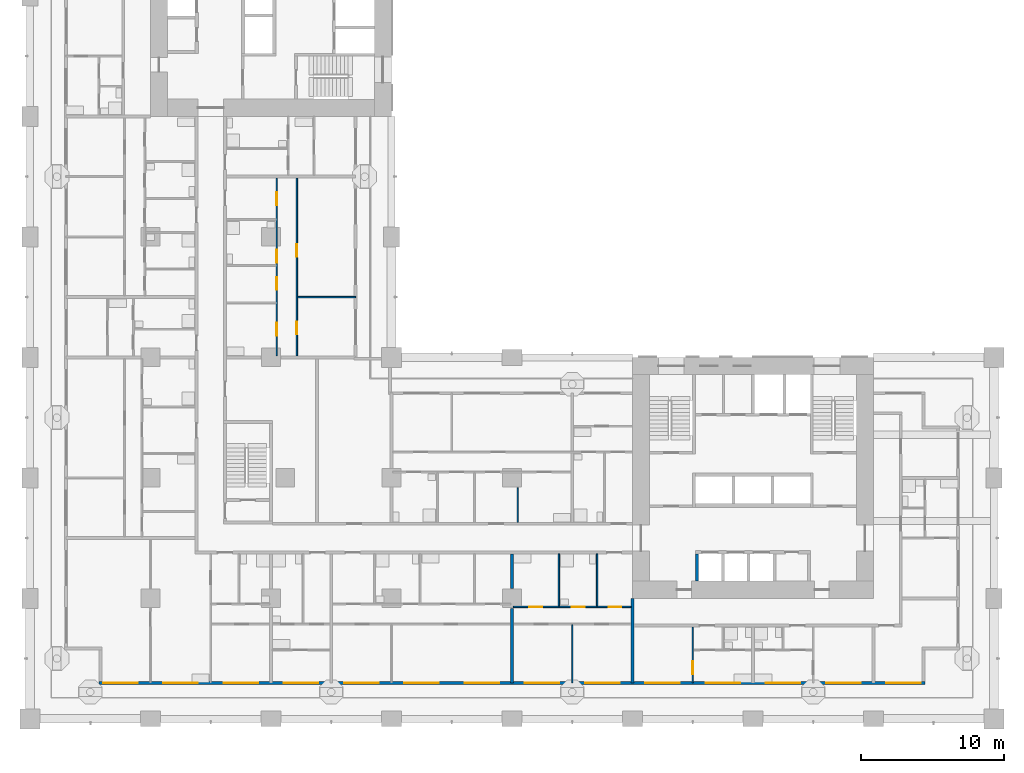
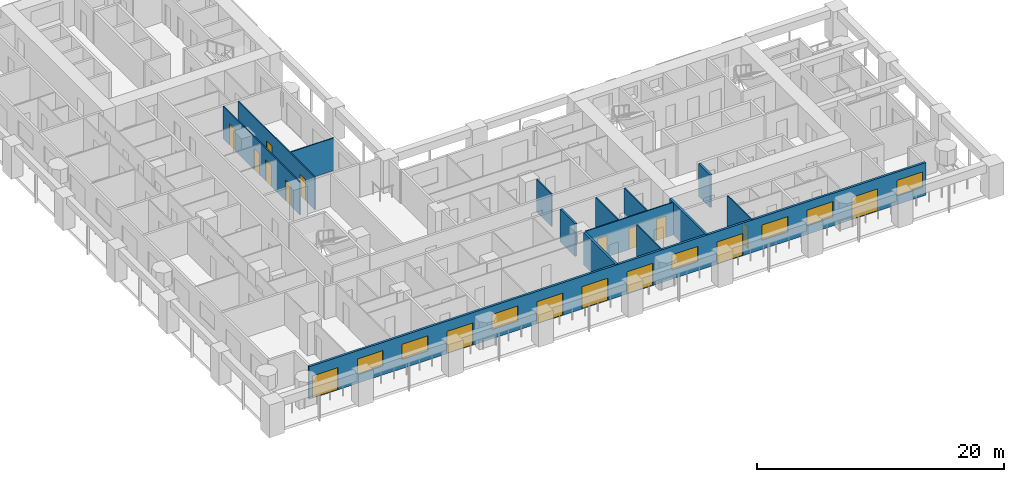
# One storey, part 5 of 21: 17 doors, 14 walls, 7 windows, 24 openings.
"""IFC4 building model written with IfcOpenShell, lengths in metres."""

from ifc_helpers import new_model, si_unit, direction, frame, frame_2d, origin, place, context, subcontext, project, spatial, rectangle, extrude, material, layer, layer_set, type_object, element, fill, save


model = new_model("IFC4")

# Units and contexts
model_context = context("Model", 3, precision=1e-05, world=origin(), true_north=direction((0.0, 1.0)))
body_context = subcontext(model_context, "Body", "Model", "MODEL_VIEW")
ifc_project = project(units=[si_unit("LENGTHUNIT", "METRE"), si_unit("AREAUNIT", "SQUARE_METRE"), si_unit("VOLUMEUNIT", "CUBIC_METRE"), si_unit("PLANEANGLEUNIT", "RADIAN"), si_unit("MASSUNIT", "GRAM", prefix="KILO")], contexts=[model_context])

# Site, building, storey
site_placement = place(None, origin())
site = spatial("IfcSite", under=ifc_project, at=site_placement, CompositionType="ELEMENT")
building_placement = place(site_placement, origin())
building = spatial("IfcBuilding", under=site, at=building_placement, Name="Vermilion Gate Residences", CompositionType="ELEMENT")
storey_placement = place(building_placement, frame((0.0, 0.0, 67.199951171875)))
storey = spatial("IfcBuildingStorey", under=building, at=storey_placement, Name="L16", CompositionType="ELEMENT", Elevation=67.199951171875)

# Wall, openings, doors, windows
ifc_material_1 = material(Name="Insulated steel stud wall with terracotta rainscreen", Category="masonry")
ifc_layer_1 = layer(ifc_material_1, 0.199951171875)
ifc_layer_set_1 = layer_set([ifc_layer_1], Name="EXTERNAL WALL 200 TERRACOTTA RAINSCREEN")
wall_type_1 = type_object("IfcWallType", Name="EXTERNAL WALL 200 TERRACOTTA RAINSCREEN", PredefinedType="SOLIDWALL", material=ifc_layer_set_1)
wall_1_placement = place(storey_placement, frame((4.800048828125, 2.5, 0.0), z_axis=(0.0, 0.0, 1.0), x_axis=(1.0, 0.0, 0.0)))
wall_1 = element("IfcWall", 1, at=wall_1_placement, inside=storey, type_object=wall_type_1, Name="External wall", PredefinedType="SOLIDWALL", context=body_context, shape_type="SweptSolid", body=[
    extrude(rectangle(XDim=57.599853515625, YDim=0.199951171875, at=frame_2d((28.7998046875, 0.0))), origin(), (0.0, 0.0, 1.0), 3.219970703125),
])
opening_1_placement = place(wall_1_placement, frame((0.300048828125, 0.0, 0.0)))
opening_1 = element("IfcOpeningElement", 2, at=opening_1_placement, cuts=wall_1, Name="Opening DE16014", PredefinedType="OPENING", context=body_context, shape_type="SweptSolid", body=[
    extrude(rectangle(XDim=2.39990234375, YDim=2.199951171875, at=frame_2d((1.199951171875, 1.10009765625))), frame((0.0, 0.10986328125, 0.0), z_axis=(0.0, -1.0, 0.0), x_axis=(1.0, 0.0, 0.0)), (0.0, 0.0, 1.0), 0.219970703125),
])
opening_2_placement = place(wall_1_placement, frame((4.5, 0.0, 0.89990234375)))
opening_2 = element("IfcOpeningElement", 3, at=opening_2_placement, cuts=wall_1, Name="Opening WE16015", PredefinedType="OPENING", context=body_context, shape_type="SweptSolid", body=[
    extrude(rectangle(XDim=2.39990234375, YDim=1.5, at=frame_2d((1.199951171875, 0.75))), frame((0.0, 0.10986328125, 0.0), z_axis=(0.0, -1.0, 0.0), x_axis=(1.0, 0.0, 0.0)), (0.0, 0.0, 1.0), 0.219970703125),
])
opening_3_placement = place(wall_1_placement, frame((8.699951171875, 0.0, 0.89990234375)))
opening_3 = element("IfcOpeningElement", 4, at=opening_3_placement, cuts=wall_1, Name="Opening WE16016", PredefinedType="OPENING", context=body_context, shape_type="SweptSolid", body=[
    extrude(rectangle(XDim=2.39990234375, YDim=1.5, at=frame_2d((1.199951171875, 0.75))), frame((0.0, 0.10986328125, 0.0), z_axis=(0.0, -1.0, 0.0), x_axis=(1.0, 0.0, 0.0)), (0.0, 0.0, 1.0), 0.219970703125),
])
opening_4_placement = place(wall_1_placement, frame((12.89990234375, 0.0, 0.0)))
opening_4 = element("IfcOpeningElement", 5, at=opening_4_placement, cuts=wall_1, Name="Opening DE16017", PredefinedType="OPENING", context=body_context, shape_type="SweptSolid", body=[
    extrude(rectangle(XDim=2.39990234375, YDim=2.199951171875, at=frame_2d((1.199951171875, 1.10009765625))), frame((0.0, 0.10986328125, 0.0), z_axis=(0.0, -1.0, 0.0), x_axis=(1.0, 0.0, 0.0)), (0.0, 0.0, 1.0), 0.219970703125),
])
opening_5_placement = place(wall_1_placement, frame((17.10009765625, 0.0, 0.89990234375)))
opening_5 = element("IfcOpeningElement", 6, at=opening_5_placement, cuts=wall_1, Name="Opening WE16018", PredefinedType="OPENING", context=body_context, shape_type="SweptSolid", body=[
    extrude(rectangle(XDim=2.39990234375, YDim=1.5, at=frame_2d((1.199951171875, 0.75))), frame((0.0, 0.10986328125, 0.0), z_axis=(0.0, -1.0, 0.0), x_axis=(1.0, 0.0, 0.0)), (0.0, 0.0, 1.0), 0.219970703125),
])
opening_6_placement = place(wall_1_placement, frame((21.300048828125, 0.0, 0.0)))
opening_6 = element("IfcOpeningElement", 7, at=opening_6_placement, cuts=wall_1, Name="Opening DE16019", PredefinedType="OPENING", context=body_context, shape_type="SweptSolid", body=[
    extrude(rectangle(XDim=2.39990234375, YDim=2.199951171875, at=frame_2d((1.199951171875, 1.10009765625))), frame((0.0, 0.10986328125, 0.0), z_axis=(0.0, -1.0, 0.0), x_axis=(1.0, 0.0, 0.0)), (0.0, 0.0, 1.0), 0.219970703125),
])
opening_7_placement = place(wall_1_placement, frame((25.5, 0.0, 0.0)))
opening_7 = element("IfcOpeningElement", 8, at=opening_7_placement, cuts=wall_1, Name="Opening DE16020", PredefinedType="OPENING", context=body_context, shape_type="SweptSolid", body=[
    extrude(rectangle(XDim=2.39990234375, YDim=2.199951171875, at=frame_2d((1.199951171875, 1.10009765625))), frame((0.0, 0.10986328125, 0.0), z_axis=(0.0, -1.0, 0.0), x_axis=(1.0, 0.0, 0.0)), (0.0, 0.0, 1.0), 0.219970703125),
])
opening_8_placement = place(wall_1_placement, frame((29.699951171875, 0.0, 0.0)))
opening_8 = element("IfcOpeningElement", 9, at=opening_8_placement, cuts=wall_1, Name="Opening DE16021", PredefinedType="OPENING", context=body_context, shape_type="SweptSolid", body=[
    extrude(rectangle(XDim=2.39990234375, YDim=2.199951171875, at=frame_2d((1.199951171875, 1.10009765625))), frame((0.0, 0.10986328125, 0.0), z_axis=(0.0, -1.0, 0.0), x_axis=(1.0, 0.0, 0.0)), (0.0, 0.0, 1.0), 0.219970703125),
])
opening_9_placement = place(wall_1_placement, frame((33.89990234375, 0.0, 0.89990234375)))
opening_9 = element("IfcOpeningElement", 10, at=opening_9_placement, cuts=wall_1, Name="Opening WE16022", PredefinedType="OPENING", context=body_context, shape_type="SweptSolid", body=[
    extrude(rectangle(XDim=2.39990234375, YDim=1.5, at=frame_2d((1.199951171875, 0.75))), frame((0.0, 0.10986328125, 0.0), z_axis=(0.0, -1.0, 0.0), x_axis=(1.0, 0.0, 0.0)), (0.0, 0.0, 1.0), 0.219970703125),
])
opening_10_placement = place(wall_1_placement, frame((38.10009765625, 0.0, 0.0)))
opening_10 = element("IfcOpeningElement", 11, at=opening_10_placement, cuts=wall_1, Name="Opening DE16023", PredefinedType="OPENING", context=body_context, shape_type="SweptSolid", body=[
    extrude(rectangle(XDim=2.39990234375, YDim=2.199951171875, at=frame_2d((1.199951171875, 1.10009765625))), frame((0.0, 0.10986328125, 0.0), z_axis=(0.0, -1.0, 0.0), x_axis=(1.0, 0.0, 0.0)), (0.0, 0.0, 1.0), 0.219970703125),
])
opening_11_placement = place(wall_1_placement, frame((42.300048828125, 0.0, 0.89990234375)))
opening_11 = element("IfcOpeningElement", 12, at=opening_11_placement, cuts=wall_1, Name="Opening WE16024", PredefinedType="OPENING", context=body_context, shape_type="SweptSolid", body=[
    extrude(rectangle(XDim=2.39990234375, YDim=1.5, at=frame_2d((1.199951171875, 0.75))), frame((0.0, 0.10986328125, 0.0), z_axis=(0.0, -1.0, 0.0), x_axis=(1.0, 0.0, 0.0)), (0.0, 0.0, 1.0), 0.219970703125),
])
opening_12_placement = place(wall_1_placement, frame((46.5, 0.0, 0.89990234375)))
opening_12 = element("IfcOpeningElement", 13, at=opening_12_placement, cuts=wall_1, Name="Opening WE16025", PredefinedType="OPENING", context=body_context, shape_type="SweptSolid", body=[
    extrude(rectangle(XDim=2.39990234375, YDim=1.5, at=frame_2d((1.199951171875, 0.75))), frame((0.0, 0.10986328125, 0.0), z_axis=(0.0, -1.0, 0.0), x_axis=(1.0, 0.0, 0.0)), (0.0, 0.0, 1.0), 0.219970703125),
])
opening_13_placement = place(wall_1_placement, frame((50.699951171875, 0.0, 0.0)))
opening_13 = element("IfcOpeningElement", 14, at=opening_13_placement, cuts=wall_1, Name="Opening DE16026", PredefinedType="OPENING", context=body_context, shape_type="SweptSolid", body=[
    extrude(rectangle(XDim=2.39990234375, YDim=2.199951171875, at=frame_2d((1.199951171875, 1.10009765625))), frame((0.0, 0.10986328125, 0.0), z_axis=(0.0, -1.0, 0.0), x_axis=(1.0, 0.0, 0.0)), (0.0, 0.0, 1.0), 0.219970703125),
])
opening_14_placement = place(wall_1_placement, frame((54.89990234375, 0.0, 0.89990234375)))
opening_14 = element("IfcOpeningElement", 15, at=opening_14_placement, cuts=wall_1, Name="Opening WE16027", PredefinedType="OPENING", context=body_context, shape_type="SweptSolid", body=[
    extrude(rectangle(XDim=2.39990234375, YDim=1.5, at=frame_2d((1.199951171875, 0.75))), frame((0.0, 0.10986328125, 0.0), z_axis=(0.0, -1.0, 0.0), x_axis=(1.0, 0.0, 0.0)), (0.0, 0.0, 1.0), 0.219970703125),
])
ifc_material_2 = material(Name="Aluminium and clear glass", Category="aluminium")
door_type_1 = type_object("IfcDoorType", Name="SLIDING GLAZED DOOR 2400 X 2200", OperationType="DOUBLE_DOOR_SLIDING", PredefinedType="DOOR", material=ifc_material_2)
door_1_placement = place(opening_1_placement, origin())
door_1 = element("IfcDoor", 16, at=door_1_placement, inside=storey, type_object=door_type_1, Name="Loggia sliding door", OperationType="DOUBLE_DOOR_SLIDING", OverallHeight=2.199951171875, OverallWidth=2.39990234375, PredefinedType="DOOR", context=body_context, shape_type="SweptSolid", body=[
    extrude(rectangle(XDim=2.39990234375, YDim=2.199951171875, at=frame_2d((1.199951171875, 1.10009765625))), frame((0.0, 0.02490234375, 0.0), z_axis=(0.0, -1.0, 0.0), x_axis=(1.0, 0.0, 0.0)), (0.0, 0.0, 1.0), 0.050048828125),
])
fill(opening_1, door_1)
door_2_placement = place(opening_4_placement, origin())
door_2 = element("IfcDoor", 17, at=door_2_placement, inside=storey, type_object=door_type_1, Name="Loggia sliding door", OperationType="DOUBLE_DOOR_SLIDING", OverallHeight=2.199951171875, OverallWidth=2.39990234375, PredefinedType="DOOR", context=body_context, shape_type="SweptSolid", body=[
    extrude(rectangle(XDim=2.39990234375, YDim=2.199951171875, at=frame_2d((1.199951171875, 1.10009765625))), frame((0.0, 0.02490234375, 0.0), z_axis=(0.0, -1.0, 0.0), x_axis=(1.0, 0.0, 0.0)), (0.0, 0.0, 1.0), 0.050048828125),
])
fill(opening_4, door_2)
door_3_placement = place(opening_6_placement, origin())
door_3 = element("IfcDoor", 18, at=door_3_placement, inside=storey, type_object=door_type_1, Name="Loggia sliding door", OperationType="DOUBLE_DOOR_SLIDING", OverallHeight=2.199951171875, OverallWidth=2.39990234375, PredefinedType="DOOR", context=body_context, shape_type="SweptSolid", body=[
    extrude(rectangle(XDim=2.39990234375, YDim=2.199951171875, at=frame_2d((1.199951171875, 1.10009765625))), frame((0.0, 0.02490234375, 0.0), z_axis=(0.0, -1.0, 0.0), x_axis=(1.0, 0.0, 0.0)), (0.0, 0.0, 1.0), 0.050048828125),
])
fill(opening_6, door_3)
door_4_placement = place(opening_7_placement, origin())
door_4 = element("IfcDoor", 19, at=door_4_placement, inside=storey, type_object=door_type_1, Name="Loggia sliding door", OperationType="DOUBLE_DOOR_SLIDING", OverallHeight=2.199951171875, OverallWidth=2.39990234375, PredefinedType="DOOR", context=body_context, shape_type="SweptSolid", body=[
    extrude(rectangle(XDim=2.39990234375, YDim=2.199951171875, at=frame_2d((1.199951171875, 1.10009765625))), frame((0.0, 0.02490234375, 0.0), z_axis=(0.0, -1.0, 0.0), x_axis=(1.0, 0.0, 0.0)), (0.0, 0.0, 1.0), 0.050048828125),
])
fill(opening_7, door_4)
door_5_placement = place(opening_8_placement, origin())
door_5 = element("IfcDoor", 20, at=door_5_placement, inside=storey, type_object=door_type_1, Name="Loggia sliding door", OperationType="DOUBLE_DOOR_SLIDING", OverallHeight=2.199951171875, OverallWidth=2.39990234375, PredefinedType="DOOR", context=body_context, shape_type="SweptSolid", body=[
    extrude(rectangle(XDim=2.39990234375, YDim=2.199951171875, at=frame_2d((1.199951171875, 1.10009765625))), frame((0.0, 0.02490234375, 0.0), z_axis=(0.0, -1.0, 0.0), x_axis=(1.0, 0.0, 0.0)), (0.0, 0.0, 1.0), 0.050048828125),
])
fill(opening_8, door_5)
door_6_placement = place(opening_10_placement, origin())
door_6 = element("IfcDoor", 21, at=door_6_placement, inside=storey, type_object=door_type_1, Name="Loggia sliding door", OperationType="DOUBLE_DOOR_SLIDING", OverallHeight=2.199951171875, OverallWidth=2.39990234375, PredefinedType="DOOR", context=body_context, shape_type="SweptSolid", body=[
    extrude(rectangle(XDim=2.39990234375, YDim=2.199951171875, at=frame_2d((1.199951171875, 1.10009765625))), frame((0.0, 0.02490234375, 0.0), z_axis=(0.0, -1.0, 0.0), x_axis=(1.0, 0.0, 0.0)), (0.0, 0.0, 1.0), 0.050048828125),
])
fill(opening_10, door_6)
door_7_placement = place(opening_13_placement, origin())
door_7 = element("IfcDoor", 22, at=door_7_placement, inside=storey, type_object=door_type_1, Name="Loggia sliding door", OperationType="DOUBLE_DOOR_SLIDING", OverallHeight=2.199951171875, OverallWidth=2.39990234375, PredefinedType="DOOR", context=body_context, shape_type="SweptSolid", body=[
    extrude(rectangle(XDim=2.39990234375, YDim=2.199951171875, at=frame_2d((1.199951171875, 1.10009765625))), frame((0.0, 0.02490234375, 0.0), z_axis=(0.0, -1.0, 0.0), x_axis=(1.0, 0.0, 0.0)), (0.0, 0.0, 1.0), 0.050048828125),
])
fill(opening_13, door_7)
ifc_material_3 = material(Name="Aluminium and clear glass", Category="aluminium")
window_type = type_object("IfcWindowType", Name="WINDOW 2400 X 1500", PartitioningType="SINGLE_PANEL", PredefinedType="WINDOW", material=ifc_material_3)
window_1_placement = place(opening_2_placement, origin())
window_1 = element("IfcWindow", 23, at=window_1_placement, inside=storey, type_object=window_type, Name="Window", OverallHeight=1.5, OverallWidth=2.39990234375, PartitioningType="SINGLE_PANEL", PredefinedType="WINDOW", context=body_context, shape_type="SweptSolid", body=[
    extrude(rectangle(XDim=2.39990234375, YDim=1.5, at=frame_2d((1.199951171875, 0.75))), frame((0.0, 0.030029296875, 0.0), z_axis=(0.0, -1.0, 0.0), x_axis=(1.0, 0.0, 0.0)), (0.0, 0.0, 1.0), 0.06005859375),
])
fill(opening_2, window_1)
window_2_placement = place(opening_3_placement, origin())
window_2 = element("IfcWindow", 24, at=window_2_placement, inside=storey, type_object=window_type, Name="Window", OverallHeight=1.5, OverallWidth=2.39990234375, PartitioningType="SINGLE_PANEL", PredefinedType="WINDOW", context=body_context, shape_type="SweptSolid", body=[
    extrude(rectangle(XDim=2.39990234375, YDim=1.5, at=frame_2d((1.199951171875, 0.75))), frame((0.0, 0.030029296875, 0.0), z_axis=(0.0, -1.0, 0.0), x_axis=(1.0, 0.0, 0.0)), (0.0, 0.0, 1.0), 0.06005859375),
])
fill(opening_3, window_2)
window_3_placement = place(opening_5_placement, origin())
window_3 = element("IfcWindow", 25, at=window_3_placement, inside=storey, type_object=window_type, Name="Window", OverallHeight=1.5, OverallWidth=2.39990234375, PartitioningType="SINGLE_PANEL", PredefinedType="WINDOW", context=body_context, shape_type="SweptSolid", body=[
    extrude(rectangle(XDim=2.39990234375, YDim=1.5, at=frame_2d((1.199951171875, 0.75))), frame((0.0, 0.030029296875, 0.0), z_axis=(0.0, -1.0, 0.0), x_axis=(1.0, 0.0, 0.0)), (0.0, 0.0, 1.0), 0.06005859375),
])
fill(opening_5, window_3)
window_4_placement = place(opening_9_placement, origin())
window_4 = element("IfcWindow", 26, at=window_4_placement, inside=storey, type_object=window_type, Name="Window", OverallHeight=1.5, OverallWidth=2.39990234375, PartitioningType="SINGLE_PANEL", PredefinedType="WINDOW", context=body_context, shape_type="SweptSolid", body=[
    extrude(rectangle(XDim=2.39990234375, YDim=1.5, at=frame_2d((1.199951171875, 0.75))), frame((0.0, 0.030029296875, 0.0), z_axis=(0.0, -1.0, 0.0), x_axis=(1.0, 0.0, 0.0)), (0.0, 0.0, 1.0), 0.06005859375),
])
fill(opening_9, window_4)
window_5_placement = place(opening_11_placement, origin())
window_5 = element("IfcWindow", 27, at=window_5_placement, inside=storey, type_object=window_type, Name="Window", OverallHeight=1.5, OverallWidth=2.39990234375, PartitioningType="SINGLE_PANEL", PredefinedType="WINDOW", context=body_context, shape_type="SweptSolid", body=[
    extrude(rectangle(XDim=2.39990234375, YDim=1.5, at=frame_2d((1.199951171875, 0.75))), frame((0.0, 0.030029296875, 0.0), z_axis=(0.0, -1.0, 0.0), x_axis=(1.0, 0.0, 0.0)), (0.0, 0.0, 1.0), 0.06005859375),
])
fill(opening_11, window_5)
window_6_placement = place(opening_12_placement, origin())
window_6 = element("IfcWindow", 28, at=window_6_placement, inside=storey, type_object=window_type, Name="Window", OverallHeight=1.5, OverallWidth=2.39990234375, PartitioningType="SINGLE_PANEL", PredefinedType="WINDOW", context=body_context, shape_type="SweptSolid", body=[
    extrude(rectangle(XDim=2.39990234375, YDim=1.5, at=frame_2d((1.199951171875, 0.75))), frame((0.0, 0.030029296875, 0.0), z_axis=(0.0, -1.0, 0.0), x_axis=(1.0, 0.0, 0.0)), (0.0, 0.0, 1.0), 0.06005859375),
])
fill(opening_12, window_6)
window_7_placement = place(opening_14_placement, origin())
window_7 = element("IfcWindow", 29, at=window_7_placement, inside=storey, type_object=window_type, Name="Window", OverallHeight=1.5, OverallWidth=2.39990234375, PartitioningType="SINGLE_PANEL", PredefinedType="WINDOW", context=body_context, shape_type="SweptSolid", body=[
    extrude(rectangle(XDim=2.39990234375, YDim=1.5, at=frame_2d((1.199951171875, 0.75))), frame((0.0, 0.030029296875, 0.0), z_axis=(0.0, -1.0, 0.0), x_axis=(1.0, 0.0, 0.0)), (0.0, 0.0, 1.0), 0.06005859375),
])
fill(opening_14, window_7)

# Wall, openings, doors
ifc_material_4 = material(Name="Plasterboard on steel studs", Category="steel")
ifc_layer_2 = layer(ifc_material_4, 0.10009765625)
ifc_layer_set_2 = layer_set([ifc_layer_2], Name="PARTITION 100")
wall_type_2 = type_object("IfcWallType", Name="PARTITION 100", PredefinedType="PARTITIONING", material=ifc_layer_set_2)
wall_2_placement = place(storey_placement, frame((33.699951171875, 7.800048828125, 0.0), z_axis=(0.0, 0.0, 1.0), x_axis=(1.0, 0.0, 0.0)))
wall_2 = element("IfcWall", 30, at=wall_2_placement, inside=storey, type_object=wall_type_2, Name="Partition", PredefinedType="PARTITIONING", context=body_context, shape_type="SweptSolid", body=[
    extrude(rectangle(XDim=8.199951171875, YDim=0.10009765625, at=frame_2d((4.10009765625, 0.0))), origin(), (0.0, 0.0, 1.0), 3.219970703125),
])
opening_15_placement = place(wall_2_placement, frame((6.633056640625, 0.0, 0.0)))
opening_15 = element("IfcOpeningElement", 31, at=opening_15_placement, cuts=wall_2, Name="Opening DA16016", PredefinedType="OPENING", context=body_context, shape_type="SweptSolid", body=[
    extrude(rectangle(XDim=0.89990234375, YDim=2.10009765625, at=frame_2d((0.449951171875, 1.050048828125))), frame((0.0, 0.06005859375, 0.0), z_axis=(0.0, -1.0, 0.0), x_axis=(1.0, 0.0, 0.0)), (0.0, 0.0, 1.0), 0.1201171875),
])
opening_16_placement = place(wall_2_placement, frame((1.10009765625, 0.0, 0.0)))
opening_16 = element("IfcOpeningElement", 32, at=opening_16_placement, cuts=wall_2, Name="Opening DA16017", PredefinedType="OPENING", context=body_context, shape_type="SweptSolid", body=[
    extrude(rectangle(XDim=0.89990234375, YDim=2.10009765625, at=frame_2d((0.449951171875, 1.050048828125))), frame((0.0, 0.06005859375, 0.0), z_axis=(0.0, -1.0, 0.0), x_axis=(1.0, 0.0, 0.0)), (0.0, 0.0, 1.0), 0.1201171875),
])
opening_17_placement = place(wall_2_placement, frame((4.06689453125, 0.0, 0.0)))
opening_17 = element("IfcOpeningElement", 33, at=opening_17_placement, cuts=wall_2, Name="Opening DA16018", PredefinedType="OPENING", context=body_context, shape_type="SweptSolid", body=[
    extrude(rectangle(XDim=0.89990234375, YDim=2.10009765625, at=frame_2d((0.449951171875, 1.050048828125))), frame((0.0, 0.06005859375, 0.0), z_axis=(0.0, -1.0, 0.0), x_axis=(1.0, 0.0, 0.0)), (0.0, 0.0, 1.0), 0.1201171875),
])
ifc_material_5 = material(Name="Timber", Category="wood")
door_type_2 = type_object("IfcDoorType", Name="INTERIOR DOOR 900 X 2100", OperationType="SINGLE_SWING_LEFT", PredefinedType="DOOR", material=ifc_material_5)
door_8_placement = place(opening_15_placement, frame((0.89990234375, 0.0, 0.0), z_axis=(0.0, 0.0, 1.0), x_axis=(-1.0, 0.0, 0.0)))
door_8 = element("IfcDoor", 34, at=door_8_placement, inside=storey, type_object=door_type_2, Name="Interior door", OperationType="SINGLE_SWING_LEFT", OverallHeight=2.10009765625, OverallWidth=0.89990234375, PredefinedType="DOOR", context=body_context, shape_type="SweptSolid", body=[
    extrude(rectangle(XDim=0.89990234375, YDim=2.10009765625, at=frame_2d((0.449951171875, 1.050048828125))), frame((0.0, 0.02490234375, 0.0), z_axis=(0.0, -1.0, 0.0), x_axis=(1.0, 0.0, 0.0)), (0.0, 0.0, 1.0), 0.050048828125),
])
fill(opening_15, door_8)
door_9_placement = place(opening_16_placement, origin())
door_9 = element("IfcDoor", 35, at=door_9_placement, inside=storey, type_object=door_type_2, Name="Interior door", OperationType="SINGLE_SWING_LEFT", OverallHeight=2.10009765625, OverallWidth=0.89990234375, PredefinedType="DOOR", context=body_context, shape_type="SweptSolid", body=[
    extrude(rectangle(XDim=0.89990234375, YDim=2.10009765625, at=frame_2d((0.449951171875, 1.050048828125))), frame((0.0, 0.02490234375, 0.0), z_axis=(0.0, -1.0, 0.0), x_axis=(1.0, 0.0, 0.0)), (0.0, 0.0, 1.0), 0.050048828125),
])
fill(opening_16, door_9)
door_10_placement = place(opening_17_placement, origin())
door_10 = element("IfcDoor", 36, at=door_10_placement, inside=storey, type_object=door_type_2, Name="Interior door", OperationType="SINGLE_SWING_LEFT", OverallHeight=2.10009765625, OverallWidth=0.89990234375, PredefinedType="DOOR", context=body_context, shape_type="SweptSolid", body=[
    extrude(rectangle(XDim=0.89990234375, YDim=2.10009765625, at=frame_2d((0.449951171875, 1.050048828125))), frame((0.0, 0.02490234375, 0.0), z_axis=(0.0, -1.0, 0.0), x_axis=(1.0, 0.0, 0.0)), (0.0, 0.0, 1.0), 0.050048828125),
])
fill(opening_17, door_10)

# Wall
wall_3_placement = place(storey_placement, frame((18.64990234375, 29.39990234375, 0.0), z_axis=(0.0, 0.0, 1.0), x_axis=(1.0, 0.0, 0.0)))
element("IfcWall", 37, at=wall_3_placement, inside=storey, type_object=wall_type_2, Name="Partition", PredefinedType="PARTITIONING", context=body_context, shape_type="SweptSolid", body=[
    extrude(rectangle(XDim=4.050048828125, YDim=0.10009765625, at=frame_2d((2.02490234375, 0.0))), origin(), (0.0, 0.0, 1.0), 3.219970703125),
])

# Wall, openings, doors
wall_4_placement = place(storey_placement, frame((17.199951171875, 25.300048828125, 0.0), z_axis=(0.0, 0.0, 1.0), x_axis=(0.0, 1.0, 0.0)))
wall_4 = element("IfcWall", 38, at=wall_4_placement, inside=storey, type_object=wall_type_2, Name="Partition", PredefinedType="PARTITIONING", context=body_context, shape_type="SweptSolid", body=[
    extrude(rectangle(XDim=12.39990234375, YDim=0.10009765625, at=frame_2d((6.199951171875, 0.0))), origin(), (0.0, 0.0, 1.0), 3.219970703125),
])
opening_18_placement = place(wall_4_placement, frame((10.5, 0.0, 0.0)))
opening_18 = element("IfcOpeningElement", 39, at=opening_18_placement, cuts=wall_4, Name="Opening DA16072", PredefinedType="OPENING", context=body_context, shape_type="SweptSolid", body=[
    extrude(rectangle(XDim=0.89990234375, YDim=2.10009765625, at=frame_2d((0.449951171875, 1.050048828125))), frame((0.0, 0.06005859375, 0.0), z_axis=(0.0, -1.0, 0.0), x_axis=(1.0, 0.0, 0.0)), (0.0, 0.0, 1.0), 0.1201171875),
])
opening_19_placement = place(wall_4_placement, frame((1.39990234375, 0.0, 0.0)))
opening_19 = element("IfcOpeningElement", 40, at=opening_19_placement, cuts=wall_4, Name="Opening DA16073", PredefinedType="OPENING", context=body_context, shape_type="SweptSolid", body=[
    extrude(rectangle(XDim=0.89990234375, YDim=2.10009765625, at=frame_2d((0.449951171875, 1.050048828125))), frame((0.0, 0.06005859375, 0.0), z_axis=(0.0, -1.0, 0.0), x_axis=(1.0, 0.0, 0.0)), (0.0, 0.0, 1.0), 0.1201171875),
])
opening_20_placement = place(wall_4_placement, frame((4.60009765625, 0.0, 0.0)))
opening_20 = element("IfcOpeningElement", 41, at=opening_20_placement, cuts=wall_4, Name="Opening DA16074", PredefinedType="OPENING", context=body_context, shape_type="SweptSolid", body=[
    extrude(rectangle(XDim=0.89990234375, YDim=2.10009765625, at=frame_2d((0.449951171875, 1.050048828125))), frame((0.0, 0.06005859375, 0.0), z_axis=(0.0, -1.0, 0.0), x_axis=(1.0, 0.0, 0.0)), (0.0, 0.0, 1.0), 0.1201171875),
])
opening_21_placement = place(wall_4_placement, frame((6.5, 0.0, 0.0)))
opening_21 = element("IfcOpeningElement", 42, at=opening_21_placement, cuts=wall_4, Name="Opening DA16075", PredefinedType="OPENING", context=body_context, shape_type="SweptSolid", body=[
    extrude(rectangle(XDim=0.89990234375, YDim=2.10009765625, at=frame_2d((0.449951171875, 1.050048828125))), frame((0.0, 0.06005859375, 0.0), z_axis=(0.0, -1.0, 0.0), x_axis=(1.0, 0.0, 0.0)), (0.0, 0.0, 1.0), 0.1201171875),
])
door_11_placement = place(opening_18_placement, origin())
door_11 = element("IfcDoor", 43, at=door_11_placement, inside=storey, type_object=door_type_2, Name="Interior door", OperationType="SINGLE_SWING_LEFT", OverallHeight=2.10009765625, OverallWidth=0.89990234375, PredefinedType="DOOR", context=body_context, shape_type="SweptSolid", body=[
    extrude(rectangle(XDim=0.89990234375, YDim=2.10009765625, at=frame_2d((0.449951171875, 1.050048828125))), frame((0.0, 0.02490234375, 0.0), z_axis=(0.0, -1.0, 0.0), x_axis=(1.0, 0.0, 0.0)), (0.0, 0.0, 1.0), 0.050048828125),
])
fill(opening_18, door_11)
door_12_placement = place(opening_19_placement, origin())
door_12 = element("IfcDoor", 44, at=door_12_placement, inside=storey, type_object=door_type_2, Name="Interior door", OperationType="SINGLE_SWING_LEFT", OverallHeight=2.10009765625, OverallWidth=0.89990234375, PredefinedType="DOOR", context=body_context, shape_type="SweptSolid", body=[
    extrude(rectangle(XDim=0.89990234375, YDim=2.10009765625, at=frame_2d((0.449951171875, 1.050048828125))), frame((0.0, 0.02490234375, 0.0), z_axis=(0.0, -1.0, 0.0), x_axis=(1.0, 0.0, 0.0)), (0.0, 0.0, 1.0), 0.050048828125),
])
fill(opening_19, door_12)
door_13_placement = place(opening_20_placement, origin())
door_13 = element("IfcDoor", 45, at=door_13_placement, inside=storey, type_object=door_type_2, Name="Interior door", OperationType="SINGLE_SWING_RIGHT", OverallHeight=2.10009765625, OverallWidth=0.89990234375, PredefinedType="DOOR", context=body_context, shape_type="SweptSolid", body=[
    extrude(rectangle(XDim=0.89990234375, YDim=2.10009765625, at=frame_2d((0.449951171875, 1.050048828125))), frame((0.0, 0.02490234375, 0.0), z_axis=(0.0, -1.0, 0.0), x_axis=(1.0, 0.0, 0.0)), (0.0, 0.0, 1.0), 0.050048828125),
])
fill(opening_20, door_13)
door_14_placement = place(opening_21_placement, origin())
door_14 = element("IfcDoor", 46, at=door_14_placement, inside=storey, type_object=door_type_2, Name="Interior door", OperationType="SINGLE_SWING_LEFT", OverallHeight=2.10009765625, OverallWidth=0.89990234375, PredefinedType="DOOR", context=body_context, shape_type="SweptSolid", body=[
    extrude(rectangle(XDim=0.89990234375, YDim=2.10009765625, at=frame_2d((0.449951171875, 1.050048828125))), frame((0.0, 0.02490234375, 0.0), z_axis=(0.0, -1.0, 0.0), x_axis=(1.0, 0.0, 0.0)), (0.0, 0.0, 1.0), 0.050048828125),
])
fill(opening_21, door_14)

wall_5_placement = place(storey_placement, frame((18.60009765625, 25.300048828125, 0.0), z_axis=(0.0, 0.0, 1.0), x_axis=(0.0, 1.0, 0.0)))
wall_5 = element("IfcWall", 47, at=wall_5_placement, inside=storey, type_object=wall_type_2, Name="Partition", PredefinedType="PARTITIONING", context=body_context, shape_type="SweptSolid", body=[
    extrude(rectangle(XDim=12.39990234375, YDim=0.10009765625, at=frame_2d((6.199951171875, 0.0))), origin(), (0.0, 0.0, 1.0), 3.219970703125),
])
opening_22_placement = place(wall_5_placement, frame((1.5, 0.0, 0.0)))
opening_22 = element("IfcOpeningElement", 48, at=opening_22_placement, cuts=wall_5, Name="Opening DA16078", PredefinedType="OPENING", context=body_context, shape_type="SweptSolid", body=[
    extrude(rectangle(XDim=0.89990234375, YDim=2.10009765625, at=frame_2d((0.449951171875, 1.050048828125))), frame((0.0, 0.06005859375, 0.0), z_axis=(0.0, -1.0, 0.0), x_axis=(1.0, 0.0, 0.0)), (0.0, 0.0, 1.0), 0.1201171875),
])
opening_23_placement = place(wall_5_placement, frame((6.89990234375, 0.0, 0.0)))
opening_23 = element("IfcOpeningElement", 49, at=opening_23_placement, cuts=wall_5, Name="Opening DA16079", PredefinedType="OPENING", context=body_context, shape_type="SweptSolid", body=[
    extrude(rectangle(XDim=0.89990234375, YDim=2.10009765625, at=frame_2d((0.449951171875, 1.050048828125))), frame((0.0, 0.06005859375, 0.0), z_axis=(0.0, -1.0, 0.0), x_axis=(1.0, 0.0, 0.0)), (0.0, 0.0, 1.0), 0.1201171875),
])
door_15_placement = place(opening_22_placement, frame((0.89990234375, 0.0, 0.0), z_axis=(0.0, 0.0, 1.0), x_axis=(-1.0, 0.0, 0.0)))
door_15 = element("IfcDoor", 50, at=door_15_placement, inside=storey, type_object=door_type_2, Name="Interior door", OperationType="SINGLE_SWING_RIGHT", OverallHeight=2.10009765625, OverallWidth=0.89990234375, PredefinedType="DOOR", context=body_context, shape_type="SweptSolid", body=[
    extrude(rectangle(XDim=0.89990234375, YDim=2.10009765625, at=frame_2d((0.449951171875, 1.050048828125))), frame((0.0, 0.02490234375, 0.0), z_axis=(0.0, -1.0, 0.0), x_axis=(1.0, 0.0, 0.0)), (0.0, 0.0, 1.0), 0.050048828125),
])
fill(opening_22, door_15)
door_16_placement = place(opening_23_placement, frame((0.89990234375, 0.0, 0.0), z_axis=(0.0, 0.0, 1.0), x_axis=(-1.0, 0.0, 0.0)))
door_16 = element("IfcDoor", 51, at=door_16_placement, inside=storey, type_object=door_type_2, Name="Interior door", OperationType="SINGLE_SWING_RIGHT", OverallHeight=2.10009765625, OverallWidth=0.89990234375, PredefinedType="DOOR", context=body_context, shape_type="SweptSolid", body=[
    extrude(rectangle(XDim=0.89990234375, YDim=2.10009765625, at=frame_2d((0.449951171875, 1.050048828125))), frame((0.0, 0.02490234375, 0.0), z_axis=(0.0, -1.0, 0.0), x_axis=(1.0, 0.0, 0.0)), (0.0, 0.0, 1.0), 0.050048828125),
])
fill(opening_23, door_16)

# Walls
wall_6_placement = place(storey_placement, frame((34.0, 13.699951171875, 0.0), z_axis=(0.0, 0.0, 1.0), x_axis=(0.0, 1.0, 0.0)))
element("IfcWall", 52, at=wall_6_placement, inside=storey, type_object=wall_type_2, Name="Partition", PredefinedType="PARTITIONING", context=body_context, shape_type="SweptSolid", body=[
    extrude(rectangle(XDim=2.400146484375, YDim=0.10009765625, at=frame_2d((1.2001953125, 0.0))), origin(), (0.0, 0.0, 1.0), 3.219970703125),
])
wall_7_placement = place(storey_placement, frame((36.866943359375, 7.85009765625, 0.0), z_axis=(0.0, 0.0, 1.0), x_axis=(0.0, 1.0, 0.0)))
element("IfcWall", 53, at=wall_7_placement, inside=storey, type_object=wall_type_2, Name="Partition", PredefinedType="PARTITIONING", context=body_context, shape_type="SweptSolid", body=[
    extrude(rectangle(XDim=3.64990234375, YDim=0.10009765625, at=frame_2d((1.824951171875, 0.0))), origin(), (0.0, 0.0, 1.0), 3.219970703125),
])
wall_8_placement = place(storey_placement, frame((37.800048828125, 2.5, 0.0), z_axis=(0.0, 0.0, 1.0), x_axis=(0.0, 1.0, 0.0)))
element("IfcWall", 54, at=wall_8_placement, inside=storey, type_object=wall_type_2, Name="Partition", PredefinedType="PARTITIONING", context=body_context, shape_type="SweptSolid", body=[
    extrude(rectangle(XDim=4.050048828125, YDim=0.10009765625, at=frame_2d((2.02490234375, 0.0))), origin(), (0.0, 0.0, 1.0), 3.219970703125),
])
wall_9_placement = place(storey_placement, frame((39.532958984375, 7.85009765625, 0.0), z_axis=(0.0, 0.0, 1.0), x_axis=(0.0, 1.0, 0.0)))
element("IfcWall", 55, at=wall_9_placement, inside=storey, type_object=wall_type_2, Name="Partition", PredefinedType="PARTITIONING", context=body_context, shape_type="SweptSolid", body=[
    extrude(rectangle(XDim=3.64990234375, YDim=0.10009765625, at=frame_2d((1.824951171875, 0.0))), origin(), (0.0, 0.0, 1.0), 3.219970703125),
])

# Wall, opening, door
wall_10_placement = place(storey_placement, frame((46.199951171875, 2.5, 0.0), z_axis=(0.0, 0.0, 1.0), x_axis=(0.0, 1.0, 0.0)))
wall_10 = element("IfcWall", 56, at=wall_10_placement, inside=storey, type_object=wall_type_2, Name="Partition", PredefinedType="PARTITIONING", context=body_context, shape_type="SweptSolid", body=[
    extrude(rectangle(XDim=3.89990234375, YDim=0.10009765625, at=frame_2d((1.949951171875, 0.0))), origin(), (0.0, 0.0, 1.0), 3.219970703125),
])
opening_24_placement = place(wall_10_placement, frame((0.60009765625, 0.0, 0.0)))
opening_24 = element("IfcOpeningElement", 57, at=opening_24_placement, cuts=wall_10, Name="Opening DA16081", PredefinedType="OPENING", context=body_context, shape_type="SweptSolid", body=[
    extrude(rectangle(XDim=0.89990234375, YDim=2.10009765625, at=frame_2d((0.449951171875, 1.050048828125))), frame((0.0, 0.06005859375, 0.0), z_axis=(0.0, -1.0, 0.0), x_axis=(1.0, 0.0, 0.0)), (0.0, 0.0, 1.0), 0.1201171875),
])
door_17_placement = place(opening_24_placement, frame((0.89990234375, 0.0, 0.0), z_axis=(0.0, 0.0, 1.0), x_axis=(-1.0, 0.0, 0.0)))
door_17 = element("IfcDoor", 58, at=door_17_placement, inside=storey, type_object=door_type_2, Name="Interior door", OperationType="SINGLE_SWING_RIGHT", OverallHeight=2.10009765625, OverallWidth=0.89990234375, PredefinedType="DOOR", context=body_context, shape_type="SweptSolid", body=[
    extrude(rectangle(XDim=0.89990234375, YDim=2.10009765625, at=frame_2d((0.449951171875, 1.050048828125))), frame((0.0, 0.02490234375, 0.0), z_axis=(0.0, -1.0, 0.0), x_axis=(1.0, 0.0, 0.0)), (0.0, 0.0, 1.0), 0.050048828125),
])
fill(opening_24, door_17)

# Walls
ifc_material_6 = material(Name="Fire-rated plasterboard on steel studs", Category="steel")
ifc_layer_3 = layer(ifc_material_6, 0.199951171875)
ifc_layer_set_3 = layer_set([ifc_layer_3], Name="PARTY WALL 200 EI 120")
wall_type_3 = type_object("IfcWallType", Name="PARTY WALL 200 EI 120", PredefinedType="PARTITIONING", material=ifc_layer_set_3)
wall_11_placement = place(storey_placement, frame((33.60009765625, 2.5, 0.0), z_axis=(0.0, 0.0, 1.0), x_axis=(0.0, 1.0, 0.0)))
element("IfcWall", 59, at=wall_11_placement, inside=storey, type_object=wall_type_3, Name="Party and corridor wall", PredefinedType="PARTITIONING", context=body_context, shape_type="SweptSolid", body=[
    extrude(rectangle(XDim=5.199951171875, YDim=0.199951171875, at=frame_2d((2.60009765625, 0.0))), origin(), (0.0, 0.0, 1.0), 3.219970703125),
])
wall_12_placement = place(storey_placement, frame((33.60009765625, 9.10009765625, 0.0), z_axis=(0.0, 0.0, 1.0), x_axis=(0.0, 1.0, 0.0)))
element("IfcWall", 60, at=wall_12_placement, inside=storey, type_object=wall_type_3, Name="Party and corridor wall", PredefinedType="PARTITIONING", context=body_context, shape_type="SweptSolid", body=[
    extrude(rectangle(XDim=2.39990234375, YDim=0.199951171875, at=frame_2d((1.199951171875, 0.0))), origin(), (0.0, 0.0, 1.0), 3.219970703125),
])
wall_13_placement = place(storey_placement, frame((42.0, 2.5, 0.0), z_axis=(0.0, 0.0, 1.0), x_axis=(0.0, 1.0, 0.0)))
element("IfcWall", 61, at=wall_13_placement, inside=storey, type_object=wall_type_3, Name="Party and corridor wall", PredefinedType="PARTITIONING", context=body_context, shape_type="SweptSolid", body=[
    extrude(rectangle(XDim=5.89990234375, YDim=0.199951171875, at=frame_2d((2.949951171875, 0.0))), origin(), (0.0, 0.0, 1.0), 3.219970703125),
])
ifc_material_7 = material(Name="Concrete C60", Category="concrete")
ifc_layer_4 = layer(ifc_material_7, 0.199951171875)
ifc_layer_set_4 = layer_set([ifc_layer_4], Name="RC CORE INTERNAL WALL 200 C60")
wall_type_4 = type_object("IfcWallType", Name="RC CORE INTERNAL WALL 200 C60", PredefinedType="SHEAR", material=ifc_layer_set_4)
wall_14_placement = place(storey_placement, frame((46.5, 9.60009765625, 0.0), z_axis=(0.0, 0.0, 1.0), x_axis=(0.0, 1.0, 0.0)))
element("IfcWall", 62, at=wall_14_placement, inside=storey, type_object=wall_type_4, Name="Core internal wall A16-LR-D0", PredefinedType="SHEAR", context=body_context, shape_type="SweptSolid", body=[
    extrude(rectangle(XDim=1.89990234375, YDim=0.199951171875, at=frame_2d((0.949951171875, 0.0))), origin(), (0.0, 0.0, 1.0), 3.219970703125),
])

save(model, "model.ifc")
